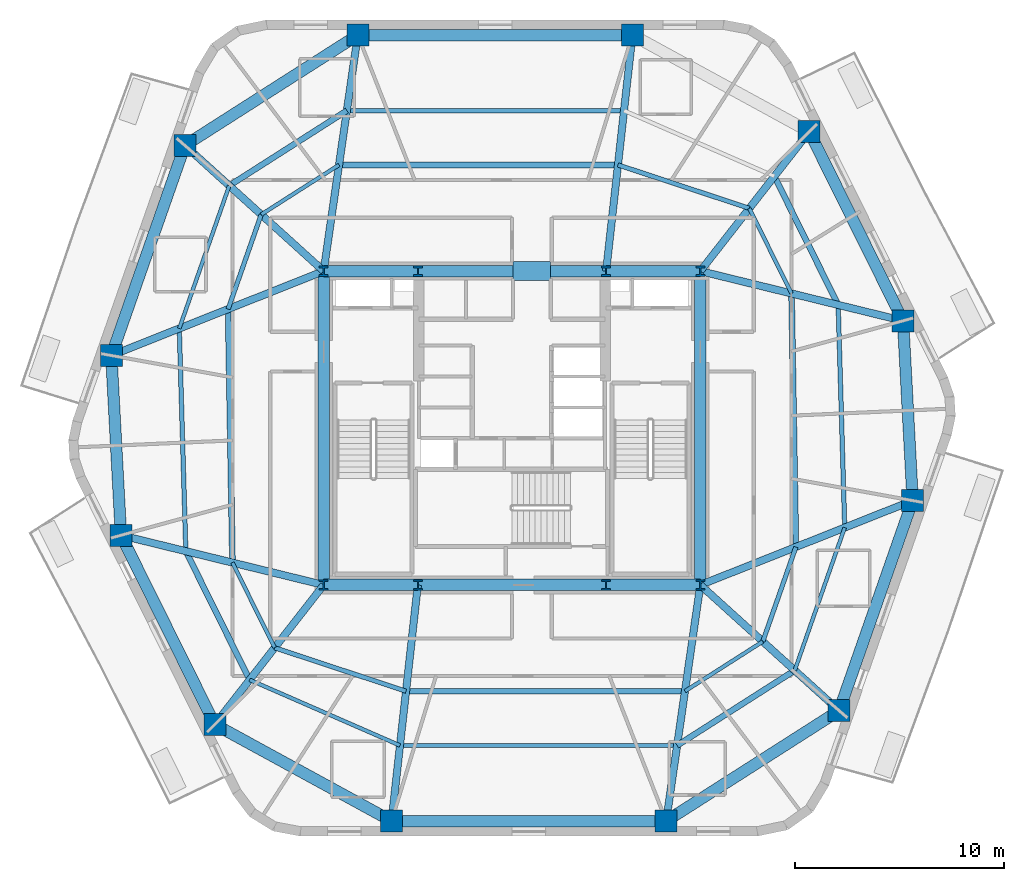
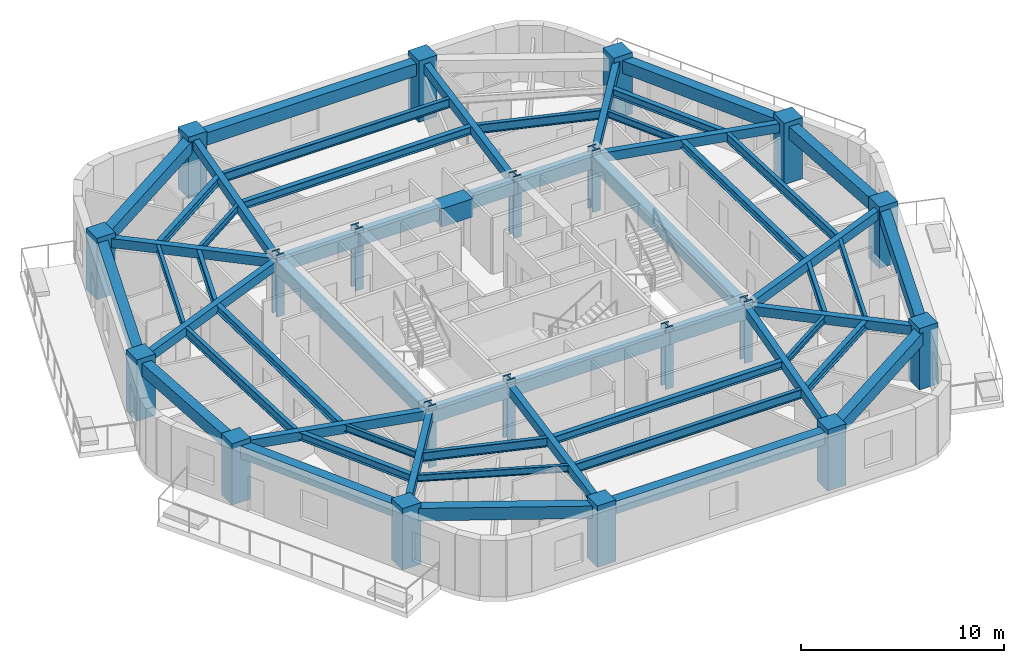
# One storey, part 1 of 10: 55 beams, 20 columns.
"""IFC4 building model written with IfcOpenShell, lengths in metres."""

from ifc_helpers import new_model, si_unit, direction, frame, origin, origin_2d, place, context, subcontext, project, spatial, rectangle, i_section, extrude, material, material_profile, profile_set, type_object, element, save


model = new_model("IFC4")

# Units and contexts
model_context = context("Model", 3, precision=1e-05, world=origin(), true_north=direction((0.0, 1.0)))
body_context = subcontext(model_context, "Body", "Model", "MODEL_VIEW")
ifc_project = project(units=[si_unit("LENGTHUNIT", "METRE"), si_unit("AREAUNIT", "SQUARE_METRE"), si_unit("VOLUMEUNIT", "CUBIC_METRE"), si_unit("PLANEANGLEUNIT", "RADIAN"), si_unit("MASSUNIT", "GRAM", prefix="KILO")], contexts=[model_context])

# Site, building, storey
site_placement = place(None, origin())
site = spatial("IfcSite", under=ifc_project, at=site_placement, CompositionType="ELEMENT")
building_placement = place(site_placement, origin())
building = spatial("IfcBuilding", under=site, at=building_placement, Name="Kilnhurst Terrace Hotel", CompositionType="ELEMENT")
storey_placement = place(building_placement, frame((0.0, 0.0, 144.300048828125)))
storey = spatial("IfcBuildingStorey", under=building, at=storey_placement, Name="L35", CompositionType="ELEMENT", Elevation=144.300048828125)

# Columns
ifc_material_1 = material(Name="Concrete C80/95", Category="concrete")
ifc_material_profile_1 = material_profile(ifc_material_1, rectangle(XDim=1.050048828125, YDim=1.050048828125, at=origin_2d()), Name="RC1050X1050")
ifc_profile_set_1 = profile_set([ifc_material_profile_1], Name="Concrete C80/95")
column_type_1 = type_object("IfcColumnType", Name="COL-RC-1050", PredefinedType="COLUMN", material=ifc_profile_set_1)
for number, where, z_axis, x_axis, name in (
    (1, (-5.7548828125, -18.780029296875, 0.0), (0.0, 0.0, 1.0), (1.0, 0.0, 0.0), "L35 Structural Column PC-F11"),
    (2, (7.368896484375, -18.780029296875, 0.0), (0.0, 0.0, 1.0), (1.0, 0.0, 0.0), "L35 Structural Column PC-F12"),
    (3, (15.633056640625, -13.5048828125, 0.0), (0.0, 0.0, 1.0), (1.0, 0.0, 0.0), "L35 Structural Column PC-F21"),
    (4, (19.14794921875, -3.467041015625, 0.0), (0.0, 0.0, 1.0), (1.0, 0.0, 0.0), "L35 Structural Column PC-F22"),
    (5, (18.68701171875, 5.1240234375, 0.0), (0.0, 0.0, 1.0), (1.0, 0.0, 0.0), "L35 Structural Column PC-F31"),
    (6, (14.2041015625, 14.166015625, 0.0), (0.0, 0.0, 1.0), (1.0, 0.0, 0.0), "L35 Structural Column PC-F32"),
    (7, (5.7548828125, 18.780029296875, 0.0), (0.0, 0.0, 1.0), (1.0, 0.0, 0.0), "L35 Structural Column PC-F41"),
    (8, (-7.368896484375, 18.780029296875, 0.0), (0.0, 0.0, 1.0), (1.0, 0.0, 0.0), "L35 Structural Column PC-F42"),
    (9, (-15.633056640625, 13.5048828125, 0.0), (0.0, 0.0, 1.0), (1.0, 0.0, 0.0), "L35 Structural Column PC-F51"),
    (10, (-19.14794921875, 3.467041015625, 0.0), (0.0, 0.0, 1.0), (1.0, 0.0, 0.0), "L35 Structural Column PC-F52"),
    (11, (-18.68701171875, -5.1240234375, 0.0), (0.0, 0.0, 1.0), (1.0, 0.0, 0.0), "L35 Structural Column PC-F61"),
    (12, (-14.2041015625, -14.166015625, 0.0), (0.0, 0.0, 1.0), (1.0, 0.0, 0.0), "L35 Structural Column PC-F62"),
):
    element("IfcColumn", number, at=place(storey_placement, frame(where, z_axis=z_axis, x_axis=x_axis)), inside=storey, type_object=column_type_1, Name=name, PredefinedType="COLUMN", context=body_context, shape_type="SweptSolid", body=[
        extrude(rectangle(XDim=1.050048828125, YDim=1.050048828125, at=origin_2d()), origin(), (0.0, 0.0, 1.0), 3.699951171875),
    ])
ifc_material_2 = material(Name="Steel ASTM A992 Grade 50", Category="steel")
ifc_material_profile_2 = material_profile(ifc_material_2, i_section(OverallWidth=0.43212890625, OverallDepth=0.497802734375, WebThickness=0.0556640625, FlangeThickness=0.0888671875, at=origin_2d()), Name="W14X500")
ifc_profile_set_2 = profile_set([ifc_material_profile_2], Name="Steel ASTM A992 Grade 50")
column_type_2 = type_object("IfcColumnType", Name="COL-STL-W14X500", PredefinedType="COLUMN", material=ifc_profile_set_2)
for number, where, z_axis, x_axis, name in (
    (13, (-9.0, -7.5, 0.0), (0.0, 0.0, 1.0), (1.0, 0.0, 0.0), "L35 Structural Column CC-SW"),
    (14, (-4.5, -7.5, 0.0), (0.0, 0.0, 1.0), (1.0, 0.0, 0.0), "L35 Structural Column CC-SC1"),
    (15, (4.5, -7.5, 0.0), (0.0, 0.0, 1.0), (1.0, 0.0, 0.0), "L35 Structural Column CC-SC2"),
    (16, (9.0, -7.5, 0.0), (0.0, 0.0, 1.0), (1.0, 0.0, 0.0), "L35 Structural Column CC-SE"),
    (17, (9.0, 7.5, 0.0), (0.0, 0.0, 1.0), (1.0, 0.0, 0.0), "L35 Structural Column CC-NE"),
    (18, (4.5, 7.5, 0.0), (0.0, 0.0, 1.0), (1.0, 0.0, 0.0), "L35 Structural Column CC-NC2"),
    (19, (-4.5, 7.5, 0.0), (0.0, 0.0, 1.0), (1.0, 0.0, 0.0), "L35 Structural Column CC-NC1"),
    (20, (-9.0, 7.5, 0.0), (0.0, 0.0, 1.0), (1.0, 0.0, 0.0), "L35 Structural Column CC-NW"),
):
    element("IfcColumn", number, at=place(storey_placement, frame(where, z_axis=z_axis, x_axis=x_axis)), inside=storey, type_object=column_type_2, Name=name, PredefinedType="COLUMN", context=body_context, shape_type="SweptSolid", body=[
        extrude(i_section(OverallWidth=0.43212890625, OverallDepth=0.497802734375, WebThickness=0.0556640625, FlangeThickness=0.0888671875, at=origin_2d()), origin(), (0.0, 0.0, 1.0), 3.699951171875),
    ])

# Beams
ifc_material_3 = material(Name="Concrete C50/60", Category="concrete")
ifc_material_profile_3 = material_profile(ifc_material_3, rectangle(XDim=0.35009765625, YDim=0.550048828125, at=origin_2d()), Name="RC350X550")
ifc_profile_set_3 = profile_set([ifc_material_profile_3], Name="Concrete C50/60")
beam_type_1 = type_object("IfcBeamType", Name="BM-RAD-350X550", PredefinedType="BEAM", material=ifc_profile_set_3)
beam_1_placement = place(storey_placement, frame((-4.5, -7.5, 3.125), z_axis=(-0.110566099441, -0.993868772854, 0.0), x_axis=(0.993868772854, -0.110566099441, 0.0)))
element("IfcBeam", 21, at=beam_1_placement, inside=storey, type_object=beam_type_1, Name="L35 Radial Floor Beam 1", PredefinedType="BEAM", context=body_context, shape_type="SweptSolid", body=[
    extrude(rectangle(XDim=0.35009765625, YDim=0.550048828125, at=origin_2d()), origin(), (0.0, 0.0, 1.0), 11.349609375),
])
beam_2_placement = place(storey_placement, frame((9.0, -7.5, 3.125), z_axis=(-0.143112538238, -0.989706421824, 0.0), x_axis=(0.989706421824, -0.143112538238, 0.0)))
element("IfcBeam", 22, at=beam_2_placement, inside=storey, type_object=beam_type_1, Name="L35 Radial Floor Beam 2", PredefinedType="BEAM", context=body_context, shape_type="SweptSolid", body=[
    extrude(rectangle(XDim=0.35009765625, YDim=0.550048828125, at=origin_2d()), origin(), (0.0, 0.0, 1.0), 11.3974609375),
])
beam_3_placement = place(storey_placement, frame((9.0, -7.5, 3.125), z_axis=(0.741338585645, -0.671131210296, 0.0), x_axis=(0.671131210296, 0.741338585645, 0.0)))
element("IfcBeam", 23, at=beam_3_placement, inside=storey, type_object=beam_type_1, Name="L35 Radial Floor Beam 3", PredefinedType="BEAM", context=body_context, shape_type="SweptSolid", body=[
    extrude(rectangle(XDim=0.35009765625, YDim=0.550048828125, at=origin_2d()), origin(), (0.0, 0.0, 1.0), 8.947509765625),
])
beam_4_placement = place(storey_placement, frame((9.0, -7.5, 3.125), z_axis=(0.929302373458, 0.369319778356, 0.0), x_axis=(-0.369319778356, 0.929302373458, 0.0)))
element("IfcBeam", 24, at=beam_4_placement, inside=storey, type_object=beam_type_1, Name="L35 Radial Floor Beam 4", PredefinedType="BEAM", context=body_context, shape_type="SweptSolid", body=[
    extrude(rectangle(XDim=0.35009765625, YDim=0.550048828125, at=origin_2d()), origin(), (0.0, 0.0, 1.0), 10.919921875),
])
beam_5_placement = place(storey_placement, frame((9.0, 7.5, 3.125), z_axis=(0.971212767405, -0.238213686486, 0.0), x_axis=(0.238213686486, 0.971212767405, 0.0)))
element("IfcBeam", 25, at=beam_5_placement, inside=storey, type_object=beam_type_1, Name="L35 Radial Floor Beam 5", PredefinedType="BEAM", context=body_context, shape_type="SweptSolid", body=[
    extrude(rectangle(XDim=0.35009765625, YDim=0.550048828125, at=origin_2d()), origin(), (0.0, 0.0, 1.0), 9.97412109375),
])
beam_6_placement = place(storey_placement, frame((9.0, 7.5, 3.125), z_axis=(0.615370616457, 0.78823791104, 0.0), x_axis=(-0.78823791104, 0.615370616457, 0.0)))
element("IfcBeam", 26, at=beam_6_placement, inside=storey, type_object=beam_type_1, Name="L35 Radial Floor Beam 6", PredefinedType="BEAM", context=body_context, shape_type="SweptSolid", body=[
    extrude(rectangle(XDim=0.35009765625, YDim=0.550048828125, at=origin_2d()), origin(), (0.0, 0.0, 1.0), 8.456787109375),
])
beam_7_placement = place(storey_placement, frame((4.5, 7.5, 3.125), z_axis=(0.110566099441, 0.993868772854, 0.0), x_axis=(-0.993868772854, 0.110566099441, 0.0)))
element("IfcBeam", 27, at=beam_7_placement, inside=storey, type_object=beam_type_1, Name="L35 Radial Floor Beam 7", PredefinedType="BEAM", context=body_context, shape_type="SweptSolid", body=[
    extrude(rectangle(XDim=0.35009765625, YDim=0.550048828125, at=origin_2d()), origin(), (0.0, 0.0, 1.0), 11.349609375),
])
beam_8_placement = place(storey_placement, frame((-9.0, 7.5, 3.125), z_axis=(0.143112538238, 0.989706421824, 0.0), x_axis=(-0.989706421824, 0.143112538238, 0.0)))
element("IfcBeam", 28, at=beam_8_placement, inside=storey, type_object=beam_type_1, Name="L35 Radial Floor Beam 8", PredefinedType="BEAM", context=body_context, shape_type="SweptSolid", body=[
    extrude(rectangle(XDim=0.35009765625, YDim=0.550048828125, at=origin_2d()), origin(), (0.0, 0.0, 1.0), 11.3974609375),
])
beam_9_placement = place(storey_placement, frame((-9.0, 7.5, 3.125), z_axis=(-0.741338585645, 0.671131210296, 0.0), x_axis=(-0.671131210296, -0.741338585645, 0.0)))
element("IfcBeam", 29, at=beam_9_placement, inside=storey, type_object=beam_type_1, Name="L35 Radial Floor Beam 9", PredefinedType="BEAM", context=body_context, shape_type="SweptSolid", body=[
    extrude(rectangle(XDim=0.35009765625, YDim=0.550048828125, at=origin_2d()), origin(), (0.0, 0.0, 1.0), 8.947509765625),
])
beam_10_placement = place(storey_placement, frame((-9.0, 7.5, 3.125), z_axis=(-0.929302373458, -0.369319778356, 0.0), x_axis=(0.369319778356, -0.929302373458, 0.0)))
element("IfcBeam", 30, at=beam_10_placement, inside=storey, type_object=beam_type_1, Name="L35 Radial Floor Beam 10", PredefinedType="BEAM", context=body_context, shape_type="SweptSolid", body=[
    extrude(rectangle(XDim=0.35009765625, YDim=0.550048828125, at=origin_2d()), origin(), (0.0, 0.0, 1.0), 10.919921875),
])
beam_11_placement = place(storey_placement, frame((-9.0, -7.5, 3.125), z_axis=(-0.971212767405, 0.238213686486, 0.0), x_axis=(-0.238213686486, -0.971212767405, 0.0)))
element("IfcBeam", 31, at=beam_11_placement, inside=storey, type_object=beam_type_1, Name="L35 Radial Floor Beam 11", PredefinedType="BEAM", context=body_context, shape_type="SweptSolid", body=[
    extrude(rectangle(XDim=0.35009765625, YDim=0.550048828125, at=origin_2d()), origin(), (0.0, 0.0, 1.0), 9.97412109375),
])
beam_12_placement = place(storey_placement, frame((-9.0, -7.5, 3.125), z_axis=(-0.615370616457, -0.78823791104, 0.0), x_axis=(0.78823791104, -0.615370616457, 0.0)))
element("IfcBeam", 32, at=beam_12_placement, inside=storey, type_object=beam_type_1, Name="L35 Radial Floor Beam 12", PredefinedType="BEAM", context=body_context, shape_type="SweptSolid", body=[
    extrude(rectangle(XDim=0.35009765625, YDim=0.550048828125, at=origin_2d()), origin(), (0.0, 0.0, 1.0), 8.456787109375),
])
ifc_material_profile_4 = material_profile(ifc_material_3, rectangle(XDim=0.550048828125, YDim=0.75, at=origin_2d()), Name="RC550X750")
ifc_profile_set_4 = profile_set([ifc_material_profile_4], Name="Concrete C50/60")
beam_type_2 = type_object("IfcBeamType", Name="BM-SPN-550X750", PredefinedType="SPANDREL", material=ifc_profile_set_4)
beam_13_placement = place(storey_placement, frame((-9.0, 7.5, 3.02490234375), z_axis=(1.0, 0.0, 0.0), x_axis=(0.0, 1.0, 0.0)))
element("IfcBeam", 33, at=beam_13_placement, inside=storey, type_object=beam_type_2, Name="L35 Core Tie Beam CC-NW to CC-NC1", PredefinedType="SPANDREL", context=body_context, shape_type="SweptSolid", body=[
    extrude(rectangle(XDim=0.550048828125, YDim=0.75, at=origin_2d()), origin(), (0.0, 0.0, 1.0), 4.5),
])
beam_14_placement = place(storey_placement, frame((-4.5, 7.5, 3.02490234375), z_axis=(1.0, 0.0, 0.0), x_axis=(0.0, 1.0, 0.0)))
element("IfcBeam", 34, at=beam_14_placement, inside=storey, type_object=beam_type_2, Name="L35 Core Tie Beam CC-NC1 to CC-NC2", PredefinedType="SPANDREL", context=body_context, shape_type="SweptSolid", body=[
    extrude(rectangle(XDim=0.550048828125, YDim=0.75, at=origin_2d()), origin(), (0.0, 0.0, 1.0), 9.0),
])
for number, where, z_axis, x_axis, name in (
    (35, (4.5, 7.5, 3.02490234375), (1.0, 0.0, 0.0), (0.0, 1.0, 0.0), "L35 Core Tie Beam CC-NC2 to CC-NE"),
    (36, (-9.0, -7.5, 3.02490234375), (1.0, 0.0, 0.0), (0.0, 1.0, 0.0), "L35 Core Tie Beam CC-SW to CC-SC1"),
):
    element("IfcBeam", number, at=place(storey_placement, frame(where, z_axis=z_axis, x_axis=x_axis)), inside=storey, type_object=beam_type_2, Name=name, PredefinedType="SPANDREL", context=body_context, shape_type="SweptSolid", body=[
        extrude(rectangle(XDim=0.550048828125, YDim=0.75, at=origin_2d()), origin(), (0.0, 0.0, 1.0), 4.5),
    ])
beam_15_placement = place(storey_placement, frame((-4.5, -7.5, 3.02490234375), z_axis=(1.0, 0.0, 0.0), x_axis=(0.0, 1.0, 0.0)))
element("IfcBeam", 37, at=beam_15_placement, inside=storey, type_object=beam_type_2, Name="L35 Core Tie Beam CC-SC1 to CC-SC2", PredefinedType="SPANDREL", context=body_context, shape_type="SweptSolid", body=[
    extrude(rectangle(XDim=0.550048828125, YDim=0.75, at=origin_2d()), origin(), (0.0, 0.0, 1.0), 9.0),
])
beam_16_placement = place(storey_placement, frame((4.5, -7.5, 3.02490234375), z_axis=(1.0, 0.0, 0.0), x_axis=(0.0, 1.0, 0.0)))
element("IfcBeam", 38, at=beam_16_placement, inside=storey, type_object=beam_type_2, Name="L35 Core Tie Beam CC-SC2 to CC-SE", PredefinedType="SPANDREL", context=body_context, shape_type="SweptSolid", body=[
    extrude(rectangle(XDim=0.550048828125, YDim=0.75, at=origin_2d()), origin(), (0.0, 0.0, 1.0), 4.5),
])
for number, where, z_axis, x_axis, name in (
    (39, (-9.0, -7.5, 3.02490234375), (0.0, 1.0, 0.0), (-1.0, 0.0, 0.0), "L35 Core Tie Beam CC-SW to CC-NW"),
    (40, (9.0, -7.5, 3.02490234375), (0.0, 1.0, 0.0), (-1.0, 0.0, 0.0), "L35 Core Tie Beam CC-SE to CC-NE"),
):
    element("IfcBeam", number, at=place(storey_placement, frame(where, z_axis=z_axis, x_axis=x_axis)), inside=storey, type_object=beam_type_2, Name=name, PredefinedType="SPANDREL", context=body_context, shape_type="SweptSolid", body=[
        extrude(rectangle(XDim=0.550048828125, YDim=0.75, at=origin_2d()), origin(), (0.0, 0.0, 1.0), 15.0),
    ])
beam_17_placement = place(storey_placement, frame((-5.7548828125, -18.780029296875, 3.02490234375), z_axis=(1.0, 0.0, 0.0), x_axis=(0.0, 1.0, 0.0)))
element("IfcBeam", 41, at=beam_17_placement, inside=storey, type_object=beam_type_2, Name="L35 Perimeter Spandrel Beam 1", PredefinedType="SPANDREL", context=body_context, shape_type="SweptSolid", body=[
    extrude(rectangle(XDim=0.550048828125, YDim=0.75, at=origin_2d()), origin(), (0.0, 0.0, 1.0), 13.123779296875),
])
beam_18_placement = place(storey_placement, frame((7.368896484375, -18.780029296875, 3.02490234375), z_axis=(0.842915241256, 0.538046369803, 0.0), x_axis=(-0.538046369803, 0.842915241256, 0.0)))
element("IfcBeam", 42, at=beam_18_placement, inside=storey, type_object=beam_type_2, Name="L35 Perimeter Spandrel Beam 2", PredefinedType="SPANDREL", context=body_context, shape_type="SweptSolid", body=[
    extrude(rectangle(XDim=0.550048828125, YDim=0.75, at=origin_2d()), origin(), (0.0, 0.0, 1.0), 9.80419921875),
])
beam_19_placement = place(storey_placement, frame((15.633056640625, -13.5048828125, 3.02490234375), z_axis=(0.330488460168, 0.943810032632, 0.0), x_axis=(-0.943810032632, 0.330488460168, 0.0)))
element("IfcBeam", 43, at=beam_19_placement, inside=storey, type_object=beam_type_2, Name="L35 Perimeter Spandrel Beam 3", PredefinedType="SPANDREL", context=body_context, shape_type="SweptSolid", body=[
    extrude(rectangle(XDim=0.550048828125, YDim=0.75, at=origin_2d()), origin(), (0.0, 0.0, 1.0), 10.635498046875),
])
beam_20_placement = place(storey_placement, frame((19.14794921875, -3.467041015625, 3.02490234375), z_axis=(-0.053576072051, 0.998563770875, 0.0), x_axis=(-0.998563770875, -0.053576072051, 0.0)))
element("IfcBeam", 44, at=beam_20_placement, inside=storey, type_object=beam_type_2, Name="L35 Perimeter Spandrel Beam 4", PredefinedType="SPANDREL", context=body_context, shape_type="SweptSolid", body=[
    extrude(rectangle(XDim=0.550048828125, YDim=0.75, at=origin_2d()), origin(), (0.0, 0.0, 1.0), 8.603515625),
])
beam_21_placement = place(storey_placement, frame((18.68701171875, 5.1240234375, 3.02490234375), z_axis=(-0.444192032261, 0.895931603682, 0.0), x_axis=(-0.895931603682, -0.444192032261, 0.0)))
element("IfcBeam", 45, at=beam_21_placement, inside=storey, type_object=beam_type_2, Name="L35 Perimeter Spandrel Beam 5", PredefinedType="SPANDREL", context=body_context, shape_type="SweptSolid", body=[
    extrude(rectangle(XDim=0.550048828125, YDim=0.75, at=origin_2d()), origin(), (0.0, 0.0, 1.0), 10.09228515625),
])
beam_22_placement = place(storey_placement, frame((5.7548828125, 18.780029296875, 3.02490234375), z_axis=(-1.0, 0.0, 0.0), x_axis=(0.0, -1.0, 0.0)))
element("IfcBeam", 46, at=beam_22_placement, inside=storey, type_object=beam_type_2, Name="L35 Perimeter Spandrel Beam 7", PredefinedType="SPANDREL", context=body_context, shape_type="SweptSolid", body=[
    extrude(rectangle(XDim=0.550048828125, YDim=0.75, at=origin_2d()), origin(), (0.0, 0.0, 1.0), 13.123779296875),
])
beam_23_placement = place(storey_placement, frame((-7.368896484375, 18.780029296875, 3.02490234375), z_axis=(-0.842915241256, -0.538046369803, 0.0), x_axis=(0.538046369803, -0.842915241256, 0.0)))
element("IfcBeam", 47, at=beam_23_placement, inside=storey, type_object=beam_type_2, Name="L35 Perimeter Spandrel Beam 8", PredefinedType="SPANDREL", context=body_context, shape_type="SweptSolid", body=[
    extrude(rectangle(XDim=0.550048828125, YDim=0.75, at=origin_2d()), origin(), (0.0, 0.0, 1.0), 9.80419921875),
])
beam_24_placement = place(storey_placement, frame((-15.633056640625, 13.5048828125, 3.02490234375), z_axis=(-0.330488460168, -0.943810032632, 0.0), x_axis=(0.943810032632, -0.330488460168, 0.0)))
element("IfcBeam", 48, at=beam_24_placement, inside=storey, type_object=beam_type_2, Name="L35 Perimeter Spandrel Beam 9", PredefinedType="SPANDREL", context=body_context, shape_type="SweptSolid", body=[
    extrude(rectangle(XDim=0.550048828125, YDim=0.75, at=origin_2d()), origin(), (0.0, 0.0, 1.0), 10.635498046875),
])
beam_25_placement = place(storey_placement, frame((-19.14794921875, 3.467041015625, 3.02490234375), z_axis=(0.053576072051, -0.998563770875, 0.0), x_axis=(0.998563770875, 0.053576072051, 0.0)))
element("IfcBeam", 49, at=beam_25_placement, inside=storey, type_object=beam_type_2, Name="L35 Perimeter Spandrel Beam 10", PredefinedType="SPANDREL", context=body_context, shape_type="SweptSolid", body=[
    extrude(rectangle(XDim=0.550048828125, YDim=0.75, at=origin_2d()), origin(), (0.0, 0.0, 1.0), 8.603515625),
])
beam_26_placement = place(storey_placement, frame((-18.68701171875, -5.1240234375, 3.02490234375), z_axis=(0.444192032261, -0.895931603682, 0.0), x_axis=(0.895931603682, 0.444192032261, 0.0)))
element("IfcBeam", 50, at=beam_26_placement, inside=storey, type_object=beam_type_2, Name="L35 Perimeter Spandrel Beam 11", PredefinedType="SPANDREL", context=body_context, shape_type="SweptSolid", body=[
    extrude(rectangle(XDim=0.550048828125, YDim=0.75, at=origin_2d()), origin(), (0.0, 0.0, 1.0), 10.09228515625),
])
beam_27_placement = place(storey_placement, frame((-14.2041015625, -14.166015625, 3.02490234375), z_axis=(0.87766189723, -0.479280287672, 0.0), x_axis=(0.479280287672, 0.87766189723, 0.0)))
element("IfcBeam", 51, at=beam_27_placement, inside=storey, type_object=beam_type_2, Name="L35 Perimeter Spandrel Beam 12", PredefinedType="SPANDREL", context=body_context, shape_type="SweptSolid", body=[
    extrude(rectangle(XDim=0.550048828125, YDim=0.75, at=origin_2d()), origin(), (0.0, 0.0, 1.0), 9.626953125),
])
ifc_material_profile_5 = material_profile(ifc_material_2, i_section(OverallWidth=0.180908203125, OverallDepth=0.417236328125, WebThickness=0.010986328125, FlangeThickness=0.018310546875, at=origin_2d()), Name="W16X57")
ifc_profile_set_5 = profile_set([ifc_material_profile_5], Name="Steel ASTM A992 Grade 50")
beam_type_3 = type_object("IfcBeamType", Name="JST-STL-W16X57", PredefinedType="JOIST", material=ifc_profile_set_5)
for number, where, z_axis, x_axis, name in (
    (52, (13.510498046875, -11.58349609375, 3.19091796875), (0.330481239411, 0.943812561051, 0.0), (-0.943812561051, 0.330481239411, 0.0), "L35 Secondary Floor Steel Joist OUT.3"),
    (53, (-13.510498046875, 11.58349609375, 3.19091796875), (-0.330481239411, -0.943812561051, 0.0), (0.943812561051, -0.330481239411, 0.0), "L35 Secondary Floor Steel Joist OUT.9"),
):
    element("IfcBeam", number, at=place(storey_placement, frame(where, z_axis=z_axis, x_axis=x_axis)), inside=storey, type_object=beam_type_3, Name=name, PredefinedType="JOIST", context=body_context, shape_type="SweptSolid", body=[
        extrude(i_section(OverallWidth=0.180908203125, OverallDepth=0.417236328125, WebThickness=0.010986328125, FlangeThickness=0.018310546875, at=origin_2d()), origin(), (0.0, 0.0, 1.0), 7.232177734375),
    ])
beam_28_placement = place(storey_placement, frame((-12.538818359375, -12.032958984375, 3.19091796875), z_axis=(0.916443679054, -0.400163695407, 0.0), x_axis=(0.400163695407, 0.916443679054, 0.0)))
element("IfcBeam", 54, at=beam_28_placement, inside=storey, type_object=beam_type_3, Name="L35 Secondary Floor Steel Joist OUT.12", PredefinedType="JOIST", context=body_context, shape_type="SweptSolid", body=[
    extrude(i_section(OverallWidth=0.180908203125, OverallDepth=0.417236328125, WebThickness=0.010986328125, FlangeThickness=0.018310546875, at=origin_2d()), origin(), (0.0, 0.0, 1.0), 7.84033203125),
])
beam_29_placement = place(storey_placement, frame((8.26611328125, -12.575927734375, 3.19091796875), z_axis=(0.842910995806, 0.53805302076, 0.0), x_axis=(-0.53805302076, 0.842910995806, 0.0)))
element("IfcBeam", 55, at=beam_29_placement, inside=storey, type_object=beam_type_3, Name="L35 Secondary Floor Steel Joist IN.2", PredefinedType="JOIST", context=body_context, shape_type="SweptSolid", body=[
    extrude(i_section(OverallWidth=0.180908203125, OverallDepth=0.417236328125, WebThickness=0.010986328125, FlangeThickness=0.018310546875, at=origin_2d()), origin(), (0.0, 0.0, 1.0), 4.411865234375),
])
beam_30_placement = place(storey_placement, frame((13.359130859375, 6.430908203125, 3.19091796875), z_axis=(-0.444200626094, 0.895927342912, 0.0), x_axis=(-0.895927342912, -0.444200626094, 0.0)))
element("IfcBeam", 56, at=beam_30_placement, inside=storey, type_object=beam_type_3, Name="L35 Secondary Floor Steel Joist IN.5", PredefinedType="JOIST", context=body_context, shape_type="SweptSolid", body=[
    extrude(i_section(OverallWidth=0.180908203125, OverallDepth=0.417236328125, WebThickness=0.010986328125, FlangeThickness=0.018310546875, at=origin_2d()), origin(), (0.0, 0.0, 1.0), 4.54150390625),
])
beam_31_placement = place(storey_placement, frame((-8.26611328125, 12.575927734375, 3.19091796875), z_axis=(-0.842910995806, -0.53805302076, 0.0), x_axis=(0.53805302076, -0.842910995806, 0.0)))
element("IfcBeam", 57, at=beam_31_placement, inside=storey, type_object=beam_type_3, Name="L35 Secondary Floor Steel Joist IN.8", PredefinedType="JOIST", context=body_context, shape_type="SweptSolid", body=[
    extrude(i_section(OverallWidth=0.180908203125, OverallDepth=0.417236328125, WebThickness=0.010986328125, FlangeThickness=0.018310546875, at=origin_2d()), origin(), (0.0, 0.0, 1.0), 4.411865234375),
])
beam_32_placement = place(storey_placement, frame((-13.359130859375, -6.430908203125, 3.19091796875), z_axis=(0.444200626094, -0.895927342912, 0.0), x_axis=(0.895927342912, 0.444200626094, 0.0)))
element("IfcBeam", 58, at=beam_32_placement, inside=storey, type_object=beam_type_3, Name="L35 Secondary Floor Steel Joist IN.11", PredefinedType="JOIST", context=body_context, shape_type="SweptSolid", body=[
    extrude(i_section(OverallWidth=0.180908203125, OverallDepth=0.417236328125, WebThickness=0.010986328125, FlangeThickness=0.018310546875, at=origin_2d()), origin(), (0.0, 0.0, 1.0), 4.54150390625),
])
ifc_material_profile_6 = material_profile(ifc_material_2, i_section(OverallWidth=0.279296875, OverallDepth=0.462890625, WebThickness=0.0107421875, FlangeThickness=0.017333984375, at=origin_2d()), Name="W18X76")
ifc_profile_set_6 = profile_set([ifc_material_profile_6], Name="Steel ASTM A992 Grade 50")
beam_type_4 = type_object("IfcBeamType", Name="JST-STL-W18X76", PredefinedType="JOIST", material=ifc_profile_set_6)
beam_33_placement = place(storey_placement, frame((7.890869140625, -15.17041015625, 3.16796875), z_axis=(0.842927863369, 0.538026595213, 0.0), x_axis=(-0.538026595213, 0.842927863369, 0.0)))
element("IfcBeam", 59, at=beam_33_placement, inside=storey, type_object=beam_type_4, Name="L35 Secondary Floor Steel Joist OUT.2", PredefinedType="JOIST", context=body_context, shape_type="SweptSolid", body=[
    extrude(i_section(OverallWidth=0.279296875, OverallDepth=0.462890625, WebThickness=0.0107421875, FlangeThickness=0.017333984375, at=origin_2d()), origin(), (0.0, 0.0, 1.0), 6.666748046875),
])
beam_34_placement = place(storey_placement, frame((15.587158203125, 5.88427734375, 3.16796875), z_axis=(-0.444180101574, 0.895937518673, 0.0), x_axis=(-0.895937518673, -0.444180101574, 0.0)))
element("IfcBeam", 60, at=beam_34_placement, inside=storey, type_object=beam_type_4, Name="L35 Secondary Floor Steel Joist OUT.5", PredefinedType="JOIST", context=body_context, shape_type="SweptSolid", body=[
    extrude(i_section(OverallWidth=0.279296875, OverallDepth=0.462890625, WebThickness=0.0107421875, FlangeThickness=0.017333984375, at=origin_2d()), origin(), (0.0, 0.0, 1.0), 6.86279296875),
])
beam_35_placement = place(storey_placement, frame((-7.890869140625, 15.17041015625, 3.16796875), z_axis=(-0.842927863369, -0.538026595213, 0.0), x_axis=(0.538026595213, -0.842927863369, 0.0)))
element("IfcBeam", 61, at=beam_35_placement, inside=storey, type_object=beam_type_4, Name="L35 Secondary Floor Steel Joist OUT.8", PredefinedType="JOIST", context=body_context, shape_type="SweptSolid", body=[
    extrude(i_section(OverallWidth=0.279296875, OverallDepth=0.462890625, WebThickness=0.0107421875, FlangeThickness=0.017333984375, at=origin_2d()), origin(), (0.0, 0.0, 1.0), 6.666748046875),
])
beam_36_placement = place(storey_placement, frame((-15.587158203125, -5.88427734375, 3.16796875), z_axis=(0.444180101574, -0.895937518673, 0.0), x_axis=(0.895937518673, 0.444180101574, 0.0)))
element("IfcBeam", 62, at=beam_36_placement, inside=storey, type_object=beam_type_4, Name="L35 Secondary Floor Steel Joist OUT.11", PredefinedType="JOIST", context=body_context, shape_type="SweptSolid", body=[
    extrude(i_section(OverallWidth=0.279296875, OverallDepth=0.462890625, WebThickness=0.0107421875, FlangeThickness=0.017333984375, at=origin_2d()), origin(), (0.0, 0.0, 1.0), 6.86279296875),
])
beam_37_placement = place(storey_placement, frame((-5.064697265625, -12.575927734375, 3.16796875), z_axis=(1.0, 0.0, 0.0), x_axis=(0.0, 1.0, 0.0)))
element("IfcBeam", 63, at=beam_37_placement, inside=storey, type_object=beam_type_4, Name="L35 Secondary Floor Steel Joist IN.1", PredefinedType="JOIST", context=body_context, shape_type="SweptSolid", body=[
    extrude(i_section(OverallWidth=0.279296875, OverallDepth=0.462890625, WebThickness=0.0107421875, FlangeThickness=0.017333984375, at=origin_2d()), origin(), (0.0, 0.0, 1.0), 13.330810546875),
])
beam_38_placement = place(storey_placement, frame((13.566650390625, -5.685302734375, 3.16796875), z_axis=(-0.017124916462, 0.999853357866, 0.0), x_axis=(-0.999853357866, -0.017124916462, 0.0)))
element("IfcBeam", 64, at=beam_38_placement, inside=storey, type_object=beam_type_4, Name="L35 Secondary Floor Steel Joist IN.4", PredefinedType="JOIST", context=body_context, shape_type="SweptSolid", body=[
    extrude(i_section(OverallWidth=0.279296875, OverallDepth=0.462890625, WebThickness=0.0107421875, FlangeThickness=0.017333984375, at=origin_2d()), origin(), (0.0, 0.0, 1.0), 12.117919921875),
])
beam_39_placement = place(storey_placement, frame((5.064697265625, 12.575927734375, 3.16796875), z_axis=(-1.0, 0.0, 0.0), x_axis=(0.0, -1.0, 0.0)))
element("IfcBeam", 65, at=beam_39_placement, inside=storey, type_object=beam_type_4, Name="L35 Secondary Floor Steel Joist IN.7", PredefinedType="JOIST", context=body_context, shape_type="SweptSolid", body=[
    extrude(i_section(OverallWidth=0.279296875, OverallDepth=0.462890625, WebThickness=0.0107421875, FlangeThickness=0.017333984375, at=origin_2d()), origin(), (0.0, 0.0, 1.0), 13.330810546875),
])
beam_40_placement = place(storey_placement, frame((-13.566650390625, 5.685302734375, 3.16796875), z_axis=(0.017124916462, -0.999853357866, 0.0), x_axis=(0.999853357866, 0.017124916462, 0.0)))
element("IfcBeam", 66, at=beam_40_placement, inside=storey, type_object=beam_type_4, Name="L35 Secondary Floor Steel Joist IN.10", PredefinedType="JOIST", context=body_context, shape_type="SweptSolid", body=[
    extrude(i_section(OverallWidth=0.279296875, OverallDepth=0.462890625, WebThickness=0.0107421875, FlangeThickness=0.017333984375, at=origin_2d()), origin(), (0.0, 0.0, 1.0), 12.117919921875),
])
ifc_material_profile_7 = material_profile(ifc_material_2, i_section(OverallWidth=0.2138671875, OverallDepth=0.549072265625, WebThickness=0.0146484375, FlangeThickness=0.023681640625, at=origin_2d()), Name="W21X93")
ifc_profile_set_7 = profile_set([ifc_material_profile_7], Name="Steel ASTM A992 Grade 50")
beam_type_5 = type_object("IfcBeamType", Name="JST-STL-W21X93", PredefinedType="JOIST", material=ifc_profile_set_7)
beam_41_placement = place(storey_placement, frame((-5.353515625, -15.17041015625, 3.125), z_axis=(1.0, 0.0, 0.0), x_axis=(0.0, 1.0, 0.0)))
element("IfcBeam", 67, at=beam_41_placement, inside=storey, type_object=beam_type_5, Name="L35 Secondary Floor Steel Joist OUT.1", PredefinedType="JOIST", context=body_context, shape_type="SweptSolid", body=[
    extrude(i_section(OverallWidth=0.2138671875, OverallDepth=0.549072265625, WebThickness=0.0146484375, FlangeThickness=0.023681640625, at=origin_2d()), origin(), (0.0, 0.0, 1.0), 13.244384765625),
])
beam_42_placement = place(storey_placement, frame((15.900634765625, -4.757568359375, 3.125), z_axis=(-0.029444201298, 0.999566425512, 0.0), x_axis=(-0.999566425512, -0.029444201298, 0.0)))
element("IfcBeam", 68, at=beam_42_placement, inside=storey, type_object=beam_type_5, Name="L35 Secondary Floor Steel Joist OUT.4", PredefinedType="JOIST", context=body_context, shape_type="SweptSolid", body=[
    extrude(i_section(OverallWidth=0.2138671875, OverallDepth=0.549072265625, WebThickness=0.0146484375, FlangeThickness=0.023681640625, at=origin_2d()), origin(), (0.0, 0.0, 1.0), 10.646484375),
])
beam_43_placement = place(storey_placement, frame((5.353515625, 15.17041015625, 3.125), z_axis=(-1.0, 0.0, 0.0), x_axis=(0.0, -1.0, 0.0)))
element("IfcBeam", 69, at=beam_43_placement, inside=storey, type_object=beam_type_5, Name="L35 Secondary Floor Steel Joist OUT.7", PredefinedType="JOIST", context=body_context, shape_type="SweptSolid", body=[
    extrude(i_section(OverallWidth=0.2138671875, OverallDepth=0.549072265625, WebThickness=0.0146484375, FlangeThickness=0.023681640625, at=origin_2d()), origin(), (0.0, 0.0, 1.0), 13.244384765625),
])
beam_44_placement = place(storey_placement, frame((-15.900634765625, 4.757568359375, 3.125), z_axis=(0.029444201298, -0.999566425512, 0.0), x_axis=(0.999566425512, 0.029444201298, 0.0)))
element("IfcBeam", 70, at=beam_44_placement, inside=storey, type_object=beam_type_5, Name="L35 Secondary Floor Steel Joist OUT.10", PredefinedType="JOIST", context=body_context, shape_type="SweptSolid", body=[
    extrude(i_section(OverallWidth=0.2138671875, OverallDepth=0.549072265625, WebThickness=0.0146484375, FlangeThickness=0.023681640625, at=origin_2d()), origin(), (0.0, 0.0, 1.0), 10.646484375),
])
beam_45_placement = place(storey_placement, frame((11.98486328125, -10.2021484375, 3.125), z_axis=(0.330516298629, 0.943800284139, 0.0), x_axis=(-0.943800284139, 0.330516298629, 0.0)))
element("IfcBeam", 71, at=beam_45_placement, inside=storey, type_object=beam_type_5, Name="L35 Secondary Floor Steel Joist IN.3", PredefinedType="JOIST", context=body_context, shape_type="SweptSolid", body=[
    extrude(i_section(OverallWidth=0.2138671875, OverallDepth=0.549072265625, WebThickness=0.0146484375, FlangeThickness=0.023681640625, at=origin_2d()), origin(), (0.0, 0.0, 1.0), 4.785888671875),
])
beam_46_placement = place(storey_placement, frame((11.341796875, 10.499755859375, 3.125), z_axis=(-0.949415572736, 0.314022404051, 0.0), x_axis=(-0.314022404051, -0.949415572736, 0.0)))
element("IfcBeam", 72, at=beam_46_placement, inside=storey, type_object=beam_type_5, Name="L35 Secondary Floor Steel Joist IN.6", PredefinedType="JOIST", context=body_context, shape_type="SweptSolid", body=[
    extrude(i_section(OverallWidth=0.2138671875, OverallDepth=0.549072265625, WebThickness=0.0146484375, FlangeThickness=0.023681640625, at=origin_2d()), origin(), (0.0, 0.0, 1.0), 6.611572265625),
])
beam_47_placement = place(storey_placement, frame((-11.98486328125, 10.2021484375, 3.125), z_axis=(-0.330516298629, -0.943800284139, 0.0), x_axis=(0.943800284139, -0.330516298629, 0.0)))
element("IfcBeam", 73, at=beam_47_placement, inside=storey, type_object=beam_type_5, Name="L35 Secondary Floor Steel Joist IN.9", PredefinedType="JOIST", context=body_context, shape_type="SweptSolid", body=[
    extrude(i_section(OverallWidth=0.2138671875, OverallDepth=0.549072265625, WebThickness=0.0146484375, FlangeThickness=0.023681640625, at=origin_2d()), origin(), (0.0, 0.0, 1.0), 4.785888671875),
])
beam_48_placement = place(storey_placement, frame((-11.341796875, -10.499755859375, 3.125), z_axis=(0.949415572736, -0.314022404051, 0.0), x_axis=(0.314022404051, 0.949415572736, 0.0)))
element("IfcBeam", 74, at=beam_48_placement, inside=storey, type_object=beam_type_5, Name="L35 Secondary Floor Steel Joist IN.12", PredefinedType="JOIST", context=body_context, shape_type="SweptSolid", body=[
    extrude(i_section(OverallWidth=0.2138671875, OverallDepth=0.549072265625, WebThickness=0.0146484375, FlangeThickness=0.023681640625, at=origin_2d()), origin(), (0.0, 0.0, 1.0), 6.611572265625),
])
ifc_material_profile_8 = material_profile(ifc_material_1, rectangle(XDim=0.89990234375, YDim=1.10009765625, at=origin_2d()), Name="RC900X1100")
ifc_profile_set_8 = profile_set([ifc_material_profile_8], Name="Concrete C80/95")
beam_type_6 = type_object("IfcBeamType", Name="LNT-CB-900X1100", PredefinedType="LINTEL", material=ifc_profile_set_8)
beam_49_placement = place(storey_placement, frame((0.050048828125, 7.5, 2.849853515625), z_axis=(1.0, 0.0, 0.0), x_axis=(0.0, 1.0, 0.0)))
element("IfcBeam", 75, at=beam_49_placement, inside=storey, type_object=beam_type_6, Name="L35 North Core Coupling Link Beam", PredefinedType="LINTEL", context=body_context, shape_type="SweptSolid", body=[
    extrude(rectangle(XDim=0.89990234375, YDim=1.10009765625, at=origin_2d()), origin(), (0.0, 0.0, 1.0), 1.800048828125),
])

save(model, "model.ifc")
